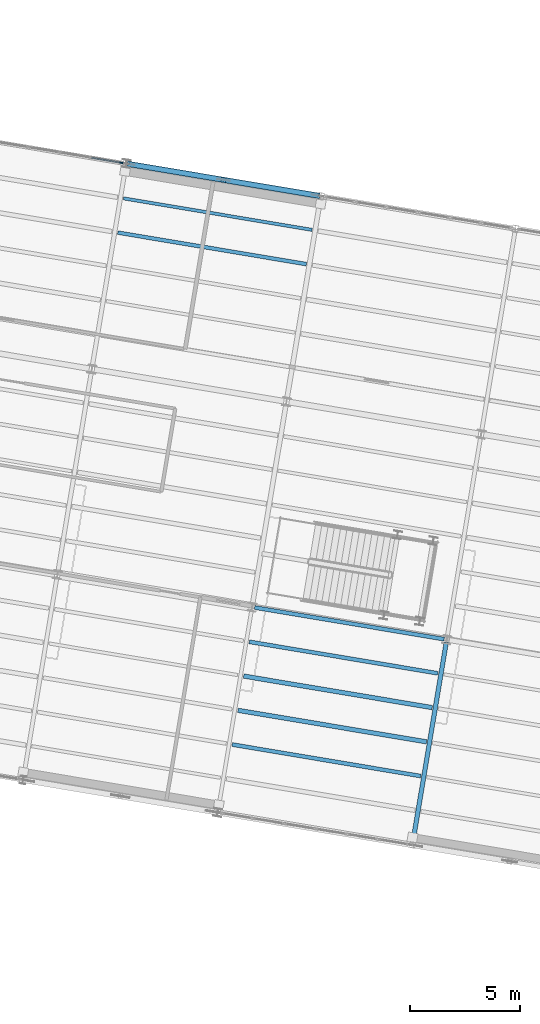
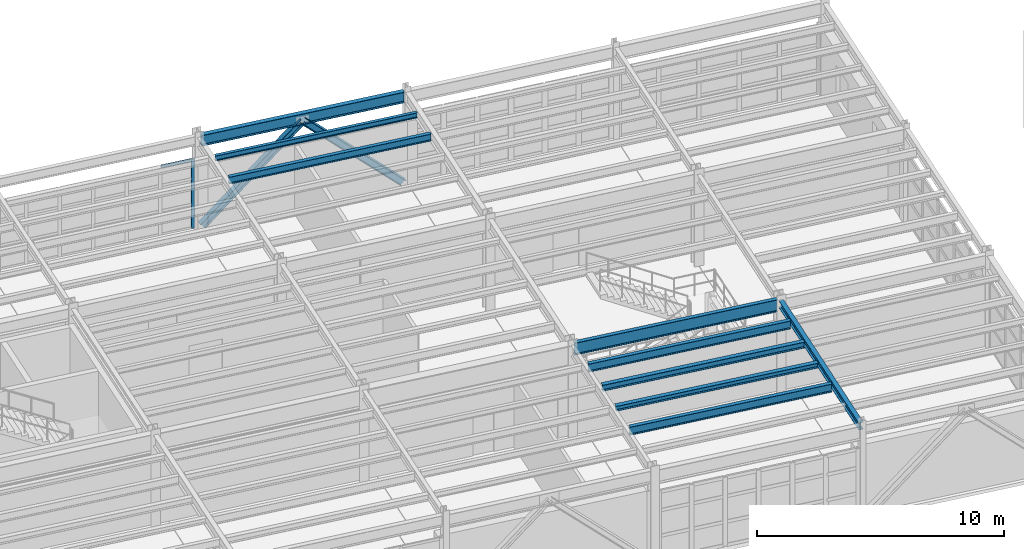
# One storey, part 43 of 109: 9 beams, 4 members, 1 element without a shape of its own.
"""IFC4 building model written with IfcOpenShell, lengths in metres."""

from ifc_helpers import new_model, si_unit, direction, frame, origin, origin_2d, place, context, subcontext, project, spatial, rectangle, i_section, extrude, material, layer, layer_set, material_profile, profile_set, type_object, element, aggregate, save


model = new_model("IFC4")

# Units and contexts
model_context = context("Model", 3, precision=1e-05, world=origin(), true_north=direction((0.0, 1.0)))
body_context = subcontext(model_context, "Body", "Model", "MODEL_VIEW")
ifc_project = project(units=[si_unit("LENGTHUNIT", "METRE"), si_unit("AREAUNIT", "SQUARE_METRE"), si_unit("VOLUMEUNIT", "CUBIC_METRE"), si_unit("PLANEANGLEUNIT", "RADIAN"), si_unit("MASSUNIT", "GRAM", prefix="KILO")], contexts=[model_context])

# Site, building, storey
site_placement = place(None, origin())
site = spatial("IfcSite", under=ifc_project, at=site_placement, CompositionType="ELEMENT")
building_placement = place(site_placement, origin())
building = spatial("IfcBuilding", under=site, at=building_placement, Name="Vireo Bluff Cable Station", CompositionType="ELEMENT")
storey_placement = place(building_placement, frame((0.0, 0.0, 4.800048828125)))
storey = spatial("IfcBuildingStorey", under=building, at=storey_placement, Name="L01", CompositionType="ELEMENT", Elevation=4.800048828125)

# Beam
ifc_material_1 = material(Name="Steel ASTM A992 Gr. 50", Category="steel")
ifc_material_profile_1 = material_profile(ifc_material_1, i_section(OverallWidth=0.2041015625, OverallDepth=0.35009765625, WebThickness=0.008544921875, FlangeThickness=0.01513671875, FilletRadius=0.010009765625, at=origin_2d()), Name="W14X48")
ifc_profile_set_1 = profile_set([ifc_material_profile_1], Name="Steel ASTM A992 Gr. 50")
beam_type_1 = type_object("IfcBeamType", Name="BM-W14X48", PredefinedType="BEAM", material=ifc_profile_set_1)
beam_1_placement = place(storey_placement, frame((41.026123046875, 65.6767578125, 4.364990234375), z_axis=(0.165048828716, 0.986285396901, 0.0), x_axis=(-0.986285396901, 0.165048828716, 0.0)))
element("IfcBeam", 1, at=beam_1_placement, inside=storey, type_object=beam_type_1, Name="V4 L01 beam 904", PredefinedType="BEAM", context=body_context, shape_type="SweptSolid", body=[
    extrude(i_section(OverallWidth=0.2041015625, OverallDepth=0.35009765625, WebThickness=0.008544921875, FlangeThickness=0.01513671875, FilletRadius=0.010009765625, at=origin_2d()), origin(), (0.0, 0.0, 1.0), 9.259765625),
])

# Members
ifc_material_profile_2 = material_profile(ifc_material_1, i_section(OverallWidth=0.25390625, OverallDepth=0.305908203125, WebThickness=0.0087890625, FlangeThickness=0.0146484375, FilletRadius=0.010986328125, at=origin_2d()), Name="W12X53")
ifc_profile_set_2 = profile_set([ifc_material_profile_2], Name="Steel ASTM A992 Gr. 50")
member_type_1 = type_object("IfcMemberType", Name="BRC-04", PredefinedType="BRACE", material=ifc_profile_set_2)
member_1_placement = place(storey_placement, frame((28.11474609375, 96.61181640625, 0.0400390625), z_axis=(0.713671018406, -0.11942683899, 0.690225258605), x_axis=(0.165046622801, 0.986285766044, 0.0)))
element("IfcMember", 2, at=member_1_placement, inside=storey, type_object=member_type_1, Name="V4 L01 concentric brace 69L", PredefinedType="BRACE", context=body_context, shape_type="SweptSolid", body=[
    extrude(i_section(OverallWidth=0.25390625, OverallDepth=0.305908203125, WebThickness=0.0087890625, FlangeThickness=0.0146484375, FilletRadius=0.010986328125, at=origin_2d()), origin(), (0.0, 0.0, 1.0), 5.997802734375),
])
ifc_material_profile_3 = material_profile(ifc_material_1, i_section(OverallWidth=0.25390625, OverallDepth=0.31005859375, WebThickness=0.009033203125, FlangeThickness=0.016357421875, FilletRadius=0.010986328125, at=origin_2d()), Name="W12X58")
ifc_profile_set_3 = profile_set([ifc_material_profile_3], Name="Steel ASTM A992 Gr. 50")
member_type_2 = type_object("IfcMemberType", Name="BRC-05", PredefinedType="BRACE", material=ifc_profile_set_3)
member_2_placement = place(storey_placement, frame((36.67578125, 95.17919921875, 0.0400390625), z_axis=(-0.713671018406, 0.11942683899, 0.690225258605), x_axis=(-0.165046622801, -0.986285766044, 0.0)))
element("IfcMember", 3, at=member_2_placement, inside=storey, type_object=member_type_2, Name="V4 L01 concentric brace 70R", PredefinedType="BRACE", context=body_context, shape_type="SweptSolid", body=[
    extrude(i_section(OverallWidth=0.25390625, OverallDepth=0.31005859375, WebThickness=0.009033203125, FlangeThickness=0.016357421875, FilletRadius=0.010986328125, at=origin_2d()), origin(), (0.0, 0.0, 1.0), 5.997802734375),
])

# Curtain wall, members
ifc_material_2 = material(Name="Anodized Aluminium 6063-T6", Category="aluminium")
ifc_layer = layer(ifc_material_2, 0.179931640625, Name="Anodized Aluminium 6063-T6")
ifc_layer_set = layer_set([ifc_layer], Name="Anodized Aluminium 6063-T6")
curtain_wall_type = type_object("IfcCurtainWallType", Name="CW-UNIT-1400", PredefinedType="USERDEFINED", material=ifc_layer_set)
curtain_wall_placement = place(storey_placement, origin())
curtain_wall = element("IfcCurtainWall", 4, at=curtain_wall_placement, inside=storey, type_object=curtain_wall_type, Name="V4 L01 north curtain wall CW-090", ObjectType="UNITISED CURTAIN WALL", PredefinedType="USERDEFINED")
ifc_material_profile_4 = material_profile(ifc_material_2, rectangle(XDim=0.06005859375, YDim=0.159912109375, at=origin_2d()), Name="ALU-M-60X160")
ifc_profile_set_4 = profile_set([ifc_material_profile_4], Name="Anodized Aluminium 6063-T6")
member_type_3 = type_object("IfcMemberType", Name="CWM-03", PredefinedType="MULLION", material=ifc_profile_set_4)
member_3_placement = place(storey_placement, frame((27.742919921875, 96.674072265625, 0.0), z_axis=(0.0, 0.0, 1.0), x_axis=(0.165047507018, 0.986285618078, 0.0)))
member_3 = element("IfcMember", 5, at=member_3_placement, type_object=member_type_3, Name="CW-090 mullion 7", PredefinedType="MULLION", context=body_context, shape_type="SweptSolid", body=[
    extrude(rectangle(XDim=0.06005859375, YDim=0.159912109375, at=origin_2d()), origin(), (0.0, 0.0, 1.0), 3.39990234375),
])
ifc_material_profile_5 = material_profile(ifc_material_2, rectangle(XDim=0.06005859375, YDim=0.1201171875, at=origin_2d()), Name="ALU-T-60X120")
ifc_profile_set_5 = profile_set([ifc_material_profile_5], Name="Anodized Aluminium 6063-T6")
member_type_4 = type_object("IfcMemberType", Name="CWT-03", PredefinedType="USERDEFINED", material=ifc_profile_set_5)
member_4_placement = place(storey_placement, frame((26.375, 96.903076171875, 3.369873046875), z_axis=(0.986267208854, -0.165157478608, 0.0), x_axis=(0.165157478608, 0.986267208854, 0.0)))
member_4 = element("IfcMember", 6, at=member_4_placement, type_object=member_type_4, Name="CW-090 transom 6.4", ObjectType="TRANSOM", PredefinedType="USERDEFINED", context=body_context, shape_type="SweptSolid", body=[
    extrude(rectangle(XDim=0.06005859375, YDim=0.1201171875, at=origin_2d()), origin(), (0.0, 0.0, 1.0), 1.35693359375),
])
aggregate(curtain_wall, [member_3, member_4])

# Beams
ifc_material_profile_6 = material_profile(ifc_material_1, i_section(OverallWidth=0.178955078125, OverallDepth=0.60302734375, WebThickness=0.010986328125, FlangeThickness=0.014892578125, FilletRadius=0.012939453125, at=origin_2d()), Name="W24X62")
ifc_profile_set_6 = profile_set([ifc_material_profile_6], Name="Steel ASTM A992 Gr. 50")
beam_type_2 = type_object("IfcBeamType", Name="GIR-W24X62", PredefinedType="USERDEFINED", material=ifc_profile_set_6)
beam_2_placement = place(storey_placement, frame((33.81591796875, 76.3935546875, 4.238525390625), z_axis=(0.986285998922, -0.165045231163, 0.0), x_axis=(0.165045231163, 0.986285998922, 0.0)))
element("IfcBeam", 7, at=beam_2_placement, inside=storey, type_object=beam_type_2, Name="V4 L01 girder 880", ObjectType="GIRDER", PredefinedType="USERDEFINED", context=body_context, shape_type="SweptSolid", body=[
    extrude(i_section(OverallWidth=0.178955078125, OverallDepth=0.60302734375, WebThickness=0.010986328125, FlangeThickness=0.014892578125, FilletRadius=0.012939453125, at=origin_2d()), origin(), (0.0, 0.0, 1.0), 8.760009765625),
])
ifc_material_profile_7 = material_profile(ifc_material_1, i_section(OverallWidth=0.14599609375, OverallDepth=0.259033203125, WebThickness=0.006103515625, FlangeThickness=0.009033203125, FilletRadius=0.009033203125, at=origin_2d()), Name="W10X22")
ifc_profile_set_7 = profile_set([ifc_material_profile_7], Name="Steel ASTM A992 Gr. 50")
beam_type_3 = type_object("IfcBeamType", Name="JST-W10X22", PredefinedType="JOIST", material=ifc_profile_set_7)
beam_3_placement = place(storey_placement, frame((27.833740234375, 95.053466796875, 4.410400390625), z_axis=(0.98628550168, -0.165048202583, 0.0), x_axis=(0.165048202583, 0.98628550168, 0.0)))
element("IfcBeam", 8, at=beam_3_placement, inside=storey, type_object=beam_type_3, Name="V4 L01 composite joist 949", PredefinedType="JOIST", context=body_context, shape_type="SweptSolid", body=[
    extrude(i_section(OverallWidth=0.14599609375, OverallDepth=0.259033203125, WebThickness=0.006103515625, FlangeThickness=0.009033203125, FilletRadius=0.009033203125, at=origin_2d()), origin(), (0.0, 0.0, 1.0), 8.719970703125),
])
ifc_material_profile_8 = material_profile(ifc_material_1, i_section(OverallWidth=0.201904296875, OverallDepth=0.2470703125, WebThickness=0.00732421875, FlangeThickness=0.010986328125, FilletRadius=0.009033203125, at=origin_2d()), Name="W10X33")
ifc_profile_set_8 = profile_set([ifc_material_profile_8], Name="Steel ASTM A992 Gr. 50")
beam_type_4 = type_object("IfcBeamType", Name="JST-W10X33", PredefinedType="JOIST", material=ifc_profile_set_8)
beam_4_placement = place(storey_placement, frame((33.0517578125, 71.70556640625, 4.41650390625), z_axis=(0.98628550168, -0.165048202583, 0.0), x_axis=(0.165048202583, 0.98628550168, 0.0)))
element("IfcBeam", 9, at=beam_4_placement, inside=storey, type_object=beam_type_4, Name="V4 L01 composite joist 952", PredefinedType="JOIST", context=body_context, shape_type="SweptSolid", body=[
    extrude(i_section(OverallWidth=0.201904296875, OverallDepth=0.2470703125, WebThickness=0.00732421875, FlangeThickness=0.010986328125, FilletRadius=0.009033203125, at=origin_2d()), origin(), (0.0, 0.0, 1.0), 8.719970703125),
])
ifc_material_profile_9 = material_profile(ifc_material_1, i_section(OverallWidth=0.202880859375, OverallDepth=0.302978515625, WebThickness=0.007568359375, FlangeThickness=0.01318359375, FilletRadius=0.010009765625, at=origin_2d()), Name="W12X40")
ifc_profile_set_9 = profile_set([ifc_material_profile_9], Name="Steel ASTM A992 Gr. 50")
beam_type_5 = type_object("IfcBeamType", Name="JST-W12X40", PredefinedType="JOIST", material=ifc_profile_set_9)
beam_5_placement = place(storey_placement, frame((33.31298828125, 73.26708984375, 4.388427734375), z_axis=(0.986286264339, -0.165043645063, 0.0), x_axis=(0.165043645063, 0.986286264339, 0.0)))
element("IfcBeam", 10, at=beam_5_placement, inside=storey, type_object=beam_type_5, Name="V4 L01 composite joist 953", PredefinedType="JOIST", context=body_context, shape_type="SweptSolid", body=[
    extrude(i_section(OverallWidth=0.202880859375, OverallDepth=0.302978515625, WebThickness=0.007568359375, FlangeThickness=0.01318359375, FilletRadius=0.010009765625, at=origin_2d()), origin(), (0.0, 0.0, 1.0), 8.72021484375),
])
ifc_material_profile_10 = material_profile(ifc_material_1, i_section(OverallWidth=0.1708984375, OverallDepth=0.35107421875, WebThickness=0.0068359375, FlangeThickness=0.009765625, FilletRadius=0.010009765625, at=origin_2d()), Name="W14X30")
ifc_profile_set_10 = profile_set([ifc_material_profile_10], Name="Steel ASTM A992 Gr. 50")
beam_type_6 = type_object("IfcBeamType", Name="JST-W14X30", PredefinedType="JOIST", material=ifc_profile_set_10)
beam_6_placement = place(storey_placement, frame((27.572509765625, 93.491943359375, 4.364501953125), z_axis=(0.98628550168, -0.165048202583, 0.0), x_axis=(0.165048202583, 0.98628550168, 0.0)))
element("IfcBeam", 11, at=beam_6_placement, inside=storey, type_object=beam_type_6, Name="V4 L01 composite joist 948", PredefinedType="JOIST", context=body_context, shape_type="SweptSolid", body=[
    extrude(i_section(OverallWidth=0.1708984375, OverallDepth=0.35107421875, WebThickness=0.0068359375, FlangeThickness=0.009765625, FilletRadius=0.010009765625, at=origin_2d()), origin(), (0.0, 0.0, 1.0), 8.719970703125),
])
ifc_material_profile_11 = material_profile(ifc_material_1, i_section(OverallWidth=0.177978515625, OverallDepth=0.404052734375, WebThickness=0.007568359375, FlangeThickness=0.010986328125, FilletRadius=0.010009765625, at=origin_2d()), Name="W16X36")
ifc_profile_set_11 = profile_set([ifc_material_profile_11], Name="Steel ASTM A992 Gr. 50")
beam_type_7 = type_object("IfcBeamType", Name="JST-W16X36", PredefinedType="JOIST", material=ifc_profile_set_11)
for number, where, z_axis, x_axis, name in (
    (12, (32.79052734375, 70.143798828125, 4.337890625), (0.98628550168, -0.165048202583, 0.0), (0.165048202583, 0.98628550168, 0.0), "V4 L01 composite joist 951"),
    (13, (33.574462890625, 74.82861328125, 4.337890625), (0.98628550168, -0.165048202583, 0.0), (0.165048202583, 0.98628550168, 0.0), "V4 L01 composite joist 954"),
):
    element("IfcBeam", number, at=place(storey_placement, frame(where, z_axis=z_axis, x_axis=x_axis)), inside=storey, type_object=beam_type_7, Name=name, PredefinedType="JOIST", context=body_context, shape_type="SweptSolid", body=[
        extrude(i_section(OverallWidth=0.177978515625, OverallDepth=0.404052734375, WebThickness=0.007568359375, FlangeThickness=0.010986328125, FilletRadius=0.010009765625, at=origin_2d()), origin(), (0.0, 0.0, 1.0), 8.719970703125),
    ])
ifc_material_profile_12 = material_profile(ifc_material_1, i_section(OverallWidth=0.2099609375, OverallDepth=0.535888671875, WebThickness=0.010986328125, FlangeThickness=0.017333984375, FilletRadius=0.012939453125, at=origin_2d()), Name="W21X68")
ifc_profile_set_12 = profile_set([ifc_material_profile_12], Name="Steel ASTM A992 Gr. 50")
beam_type_8 = type_object("IfcBeamType", Name="SPN-W21X68", PredefinedType="SPANDREL", material=ifc_profile_set_12)
beam_7_placement = place(storey_placement, frame((28.075439453125, 96.618408203125, 4.27197265625), z_axis=(0.986285998922, -0.165045231163, 0.0), x_axis=(0.165045231163, 0.986285998922, 0.0)))
element("IfcBeam", 14, at=beam_7_placement, inside=storey, type_object=beam_type_8, Name="V4 L01 spandrel 889", PredefinedType="SPANDREL", context=body_context, shape_type="SweptSolid", body=[
    extrude(i_section(OverallWidth=0.2099609375, OverallDepth=0.535888671875, WebThickness=0.010986328125, FlangeThickness=0.017333984375, FilletRadius=0.012939453125, at=origin_2d()), origin(), (0.0, 0.0, 1.0), 8.760009765625),
])

save(model, "model.ifc")
